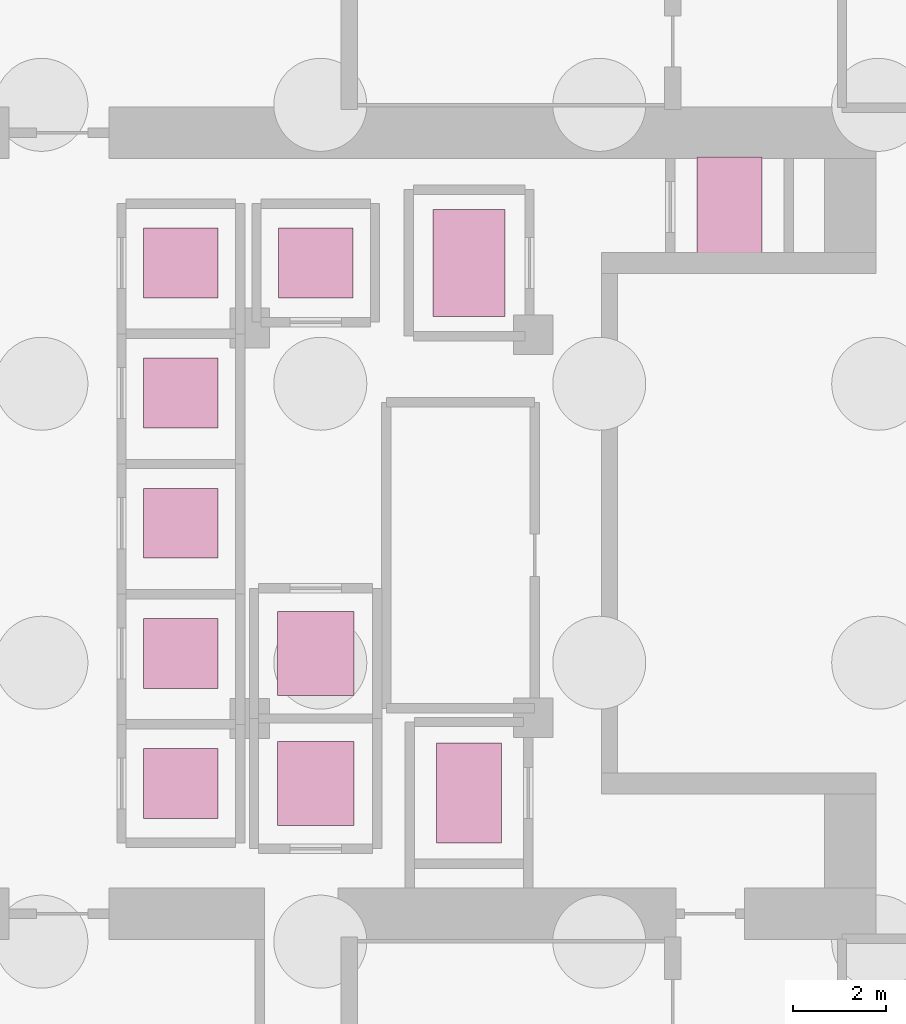
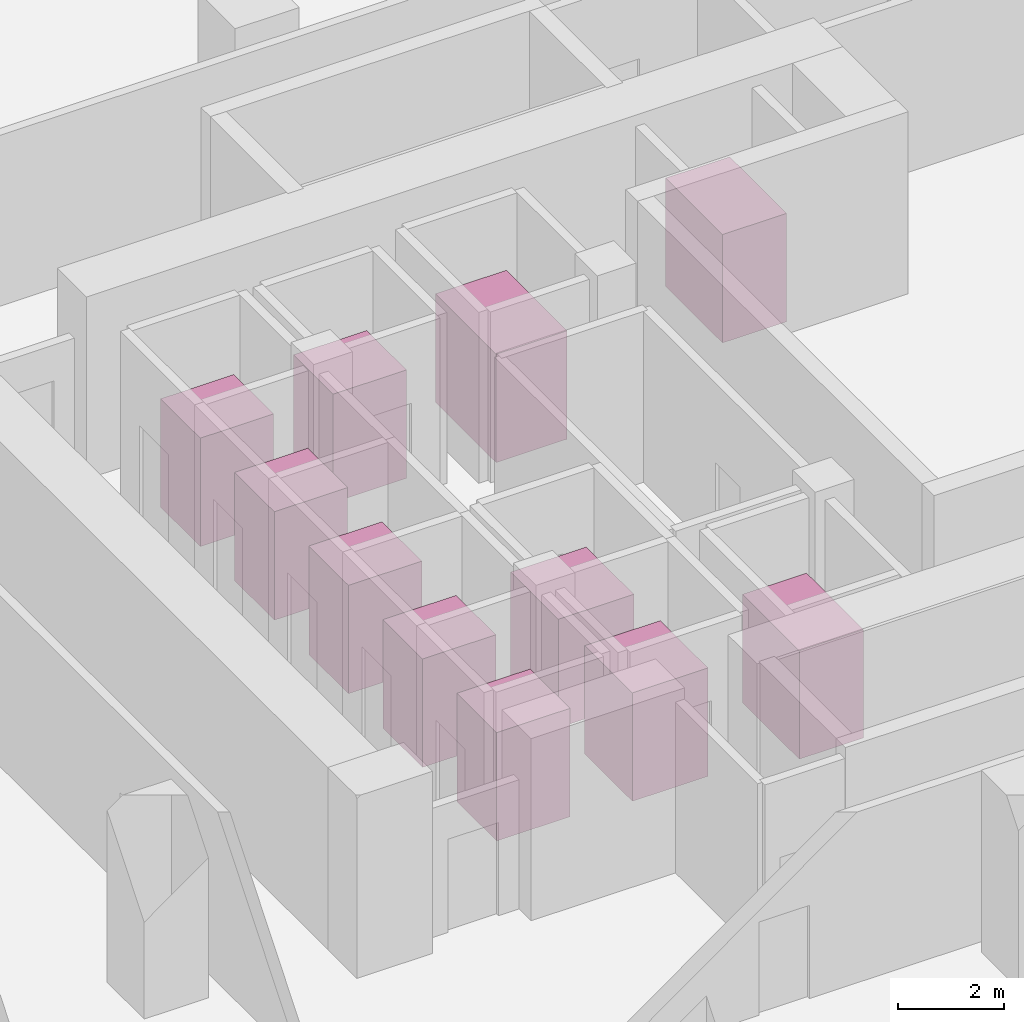
# One storey, part 6 of 6: 11 transport elements.
"""IFC4 building model written with IfcOpenShell, lengths in metres."""

from ifc_helpers import new_model, si_unit, direction, frame, origin, origin_2d, place, context, subcontext, project, spatial, rectangle, extrude, material, type_object, element, save


model = new_model("IFC4")

# Units and contexts
model_context = context("Model", 3, precision=1e-05, world=origin(), true_north=direction((0.0, 1.0)))
body_context = subcontext(model_context, "Body", "Model", "MODEL_VIEW")
ifc_project = project(units=[si_unit("LENGTHUNIT", "METRE"), si_unit("AREAUNIT", "SQUARE_METRE"), si_unit("VOLUMEUNIT", "CUBIC_METRE"), si_unit("PLANEANGLEUNIT", "RADIAN"), si_unit("MASSUNIT", "GRAM", prefix="KILO")], contexts=[model_context])

# Site, building, storey
site_placement = place(None, origin())
site = spatial("IfcSite", under=ifc_project, at=site_placement, CompositionType="ELEMENT")
building_placement = place(site_placement, origin())
building = spatial("IfcBuilding", under=site, at=building_placement, Name="Khorvyn Point Tower", CompositionType="ELEMENT")
storey_placement = place(building_placement, frame((0.0, 0.0, -12.60009765625)))
storey = spatial("IfcBuildingStorey", under=building, at=storey_placement, Name="B3", CompositionType="ELEMENT", Elevation=-12.60009765625)

# Transport elements
ifc_material_1 = material(Name="Stainless steel 1.4301 and laminated glass", Category="steel")
transport_element_type_1 = type_object("IfcTransportElementType", Name="High-Speed Gearless Passenger Lift", PredefinedType="ELEVATOR", material=ifc_material_1)
for number, where, z_axis, x_axis, name in (
    (1, (-6.0, -5.60009765625, 0.0), (0.0, 0.0, 1.0), (1.0, 0.0, 0.0), "Passenger Lift RL-01"),
    (2, (-6.0, -2.800048828125, 0.0), (0.0, 0.0, 1.0), (1.0, 0.0, 0.0), "Passenger Lift RL-02"),
    (3, (-6.0, 0.0, 0.0), (0.0, 0.0, 1.0), (1.0, 0.0, 0.0), "Passenger Lift RL-03"),
    (4, (-6.0, 2.800048828125, 0.0), (0.0, 0.0, 1.0), (1.0, 0.0, 0.0), "Passenger Lift RM-01"),
    (5, (-6.0, 5.60009765625, 0.0), (0.0, 0.0, 1.0), (1.0, 0.0, 0.0), "Passenger Lift RM-02"),
    (6, (-3.10009765625, 5.60009765625, 0.0), (0.0, 0.0, 1.0), (1.0, 0.0, 0.0), "Passenger Lift RM-03"),
):
    element("IfcTransportElement", number, at=place(storey_placement, frame(where, z_axis=z_axis, x_axis=x_axis)), inside=storey, type_object=transport_element_type_1, Name=name, PredefinedType="ELEVATOR", context=body_context, shape_type="SweptSolid", body=[
        extrude(rectangle(XDim=1.60009765625, YDim=1.5, at=origin_2d()), origin(), (0.0, 0.0, 1.0), 2.5),
    ])
for number, where, z_axis, x_axis, name in (
    (7, (-3.10009765625, -5.60009765625, 0.0), (0.0, 0.0, 1.0), (1.0, 0.0, 0.0), "Passenger Lift RS-01"),
    (8, (-3.10009765625, -2.800048828125, 0.0), (0.0, 0.0, 1.0), (1.0, 0.0, 0.0), "Passenger Lift RS-02"),
):
    element("IfcTransportElement", number, at=place(storey_placement, frame(where, z_axis=z_axis, x_axis=x_axis)), inside=storey, type_object=transport_element_type_1, Name=name, PredefinedType="ELEVATOR", context=body_context, shape_type="SweptSolid", body=[
        extrude(rectangle(XDim=1.64990234375, YDim=1.800048828125, at=origin_2d()), origin(), (0.0, 0.0, 1.0), 2.5),
    ])
transport_element_placement = place(storey_placement, frame((0.199951171875, 5.60009765625, 0.0), z_axis=(0.0, 0.0, 1.0), x_axis=(1.0, 0.0, 0.0)))
element("IfcTransportElement", 9, at=transport_element_placement, inside=storey, type_object=transport_element_type_1, Name="Passenger Lift SV-01", PredefinedType="ELEVATOR", context=body_context, shape_type="SweptSolid", body=[
    extrude(rectangle(XDim=1.550048828125, YDim=2.300048828125, at=origin_2d()), origin(), (0.0, 0.0, 1.0), 2.5),
])
ifc_material_2 = material(Name="Stainless steel 1.4401 fire-rated cab", Category="steel")
transport_element_type_2 = type_object("IfcTransportElementType", Name="Pressurised Firefighting and Stretcher Lift", PredefinedType="ELEVATOR", material=ifc_material_2)
for number, where, z_axis, x_axis, name in (
    (10, (0.199951171875, -5.800048828125, 0.0), (0.0, 0.0, 1.0), (1.0, 0.0, 0.0), "Firefighting Lift FF-01"),
    (11, (5.800048828125, 6.800048828125, 0.0), (0.0, 0.0, 1.0), (1.0, 0.0, 0.0), "Firefighting Lift FF-02"),
):
    element("IfcTransportElement", number, at=place(storey_placement, frame(where, z_axis=z_axis, x_axis=x_axis)), inside=storey, type_object=transport_element_type_2, Name=name, PredefinedType="ELEVATOR", context=body_context, shape_type="SweptSolid", body=[
        extrude(rectangle(XDim=1.39990234375, YDim=2.14990234375, at=origin_2d()), origin(), (0.0, 0.0, 1.0), 2.5),
    ])

save(model, "model.ifc")
